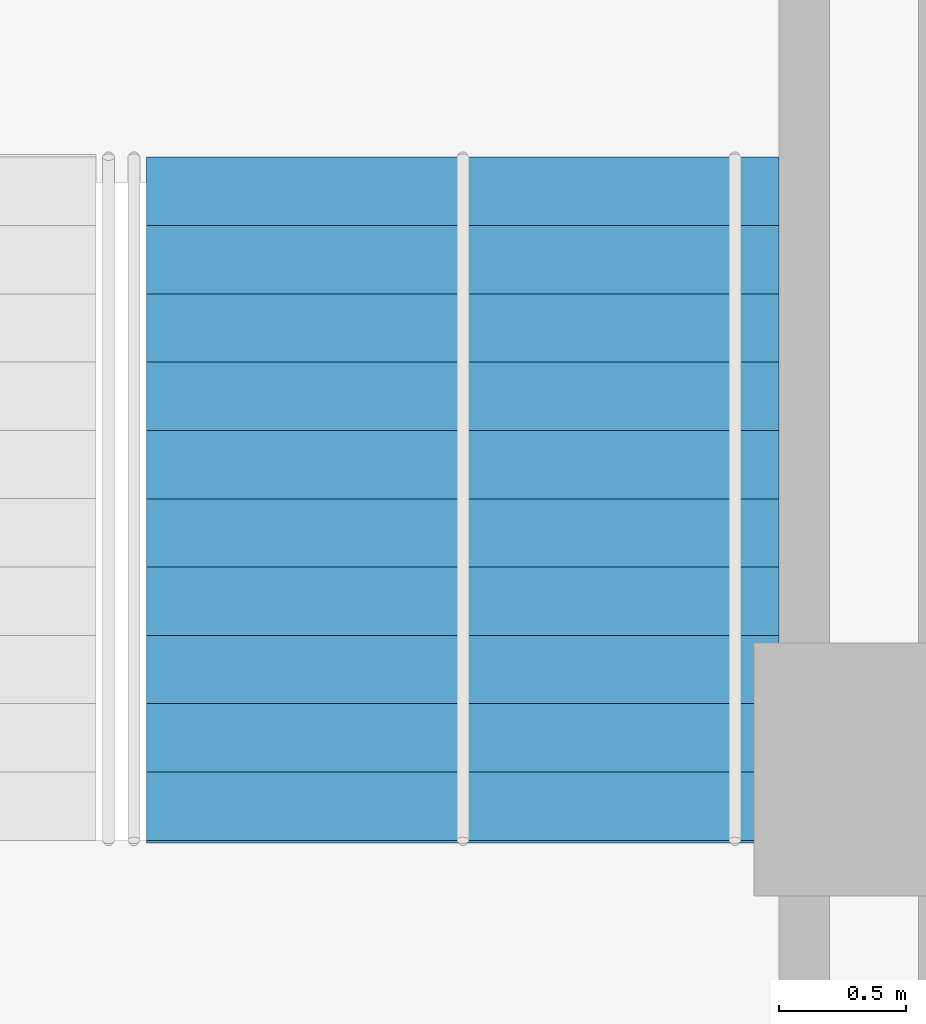
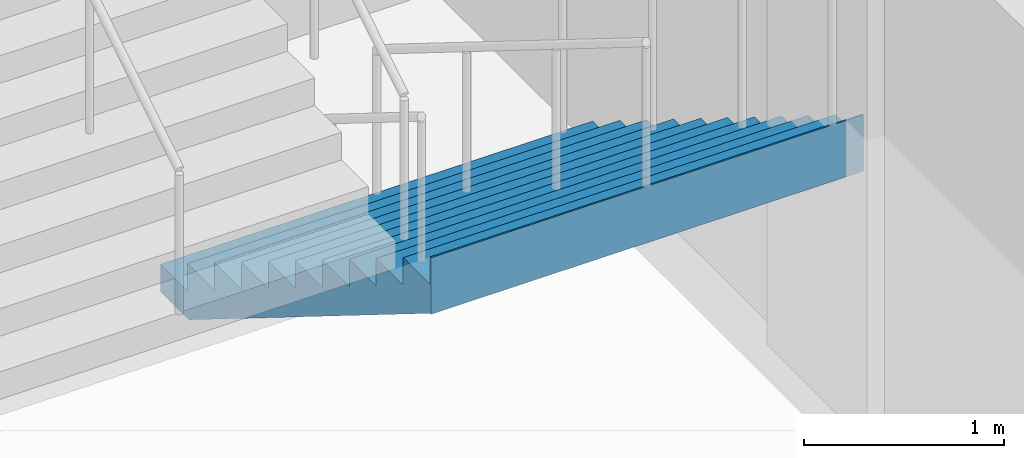
# One storey, part 8 of 9: 1 stair flight, 1 element without a shape of its own.
"""IFC4 building model written with IfcOpenShell, lengths in metres."""

from ifc_helpers import new_model, si_unit, direction, frame, origin, place, context, subcontext, project, spatial, faceted_brep, material, type_object, element, aggregate, save


model = new_model("IFC4")

# Units and contexts
model_context = context("Model", 3, precision=1e-05, world=origin(), true_north=direction((0.0, 1.0)))
body_context = subcontext(model_context, "Body", "Model", "MODEL_VIEW")
ifc_project = project(units=[si_unit("LENGTHUNIT", "METRE"), si_unit("AREAUNIT", "SQUARE_METRE"), si_unit("VOLUMEUNIT", "CUBIC_METRE"), si_unit("PLANEANGLEUNIT", "RADIAN"), si_unit("MASSUNIT", "GRAM", prefix="KILO")], contexts=[model_context])

# Site, building, storey
site_placement = place(None, origin())
site = spatial("IfcSite", under=ifc_project, at=site_placement, CompositionType="ELEMENT")
building_placement = place(site_placement, origin())
building = spatial("IfcBuilding", under=site, at=building_placement, Name="Torsade Residences", CompositionType="ELEMENT")
storey_placement = place(building_placement, frame((0.0, 0.0, -3.699951171875)))
storey = spatial("IfcBuildingStorey", under=building, at=storey_placement, Name="B1", CompositionType="ELEMENT", Elevation=-3.699951171875)

# Stair, stair flight
ifc_material_1 = material(Name="Concrete 40 MPa", Category="concrete")
stair_type = type_object("IfcStairType", Name="HALF-TURN PODIUM STAIR 2500x3700", PredefinedType="HALF_TURN_STAIR", material=ifc_material_1)
stair_placement = place(storey_placement, origin())
stair = element("IfcStair", 1, at=stair_placement, inside=storey, type_object=stair_type, Name="Stair ST4 B1", PredefinedType="HALF_TURN_STAIR")
ifc_material_2 = material(Name="Concrete 40 MPa", Category="concrete")
stair_flight_type = type_object("IfcStairFlightType", Name="PODIUM STAIR FLIGHT 2500x1850", PredefinedType="STRAIGHT", material=ifc_material_2)
stair_flight_placement = place(storey_placement, frame((75.75, 13.419921875, 0.0), z_axis=(0.0, 0.0, 1.0), x_axis=(0.0, -1.0, 0.0)))
stair_flight = element("IfcStairFlight", 2, at=stair_flight_placement, type_object=stair_flight_type, Name="ST4 flight 1", NumberOfRisers=11, NumberOfTreads=10, PredefinedType="STRAIGHT", RiserHeight=0.168181818, TreadLength=0.27, context=body_context, shape_type="Brep", body=[
    faceted_brep([(0.0, 1.25, 0.0), (0.0, 1.25, 0.168212890625), (0.27001953125, 1.25, 0.168212890625), (0.27001953125, 1.25, 0.33642578125), (0.5400390625, 1.25, 0.33642578125), (0.5400390625, 1.25, 0.504638671875), (0.81005859375, 1.25, 0.504638671875), (0.81005859375, 1.25, 0.672607421875), (1.080078125, 1.25, 0.672607421875), (1.080078125, 1.25, 0.8408203125), (1.35009765625, 1.25, 0.8408203125), (1.35009765625, 1.25, 1.009033203125), (1.6201171875, 1.25, 1.009033203125), (1.6201171875, 1.25, 1.17724609375), (1.889892578125, 1.25, 1.17724609375), (1.889892578125, 1.25, 1.345458984375), (2.159912109375, 1.25, 1.345458984375), (2.159912109375, 1.25, 1.513671875), (2.429931640625, 1.25, 1.513671875), (2.429931640625, 1.25, 1.681884765625), (2.699951171875, 1.25, 1.681884765625), (2.699951171875, 1.25, 1.85009765625), (2.7099609375, 1.25, 1.85009765625), (2.7099609375, 1.25, 1.505126953125), (2.699951171875, 1.25, 1.505126953125), (0.283447265625, 1.25, 0.0), (0.283447265625, -1.25, 0.0), (2.699951171875, -1.25, 1.505126953125), (2.7099609375, -1.25, 1.505126953125), (2.7099609375, -1.25, 1.85009765625), (2.699951171875, -1.25, 1.85009765625), (2.699951171875, -1.25, 1.681884765625), (2.429931640625, -1.25, 1.681884765625), (2.429931640625, -1.25, 1.513671875), (2.159912109375, -1.25, 1.513671875), (2.159912109375, -1.25, 1.345458984375), (1.889892578125, -1.25, 1.345458984375), (1.889892578125, -1.25, 1.17724609375), (1.6201171875, -1.25, 1.17724609375), (1.6201171875, -1.25, 1.009033203125), (1.35009765625, -1.25, 1.009033203125), (1.35009765625, -1.25, 0.8408203125), (1.080078125, -1.25, 0.8408203125), (1.080078125, -1.25, 0.672607421875), (0.81005859375, -1.25, 0.672607421875), (0.81005859375, -1.25, 0.504638671875), (0.5400390625, -1.25, 0.504638671875), (0.5400390625, -1.25, 0.33642578125), (0.27001953125, -1.25, 0.33642578125), (0.27001953125, -1.25, 0.168212890625), (0.0, -1.25, 0.168212890625), (0.0, -1.25, 0.0), (0.0, 0.75, 0.0), (0.0, 0.75, 0.168212890625), (0.0, 0.25, 0.0), (0.0, 0.25, 0.168212890625), (0.0, -0.25, 0.0), (0.0, -0.25, 0.168212890625), (0.0, -0.75, 0.0), (0.0, -0.75, 0.168212890625), (0.27001953125, 0.75, 0.168212890625), (0.27001953125, 0.25, 0.168212890625), (0.27001953125, -0.25, 0.168212890625), (0.27001953125, -0.75, 0.168212890625), (0.27001953125, 0.75, 0.33642578125), (0.27001953125, 0.25, 0.33642578125), (0.27001953125, -0.25, 0.33642578125), (0.27001953125, -0.75, 0.33642578125), (0.5400390625, 0.75, 0.33642578125), (0.5400390625, 0.25, 0.33642578125), (0.5400390625, -0.25, 0.33642578125), (0.5400390625, -0.75, 0.33642578125), (0.5400390625, 0.75, 0.504638671875), (0.5400390625, 0.25, 0.504638671875), (0.5400390625, -0.25, 0.504638671875), (0.5400390625, -0.75, 0.504638671875), (0.81005859375, 0.75, 0.504638671875), (0.81005859375, 0.25, 0.504638671875), (0.81005859375, -0.25, 0.504638671875), (0.81005859375, -0.75, 0.504638671875), (0.81005859375, 0.75, 0.672607421875), (0.81005859375, 0.25, 0.672607421875), (0.81005859375, -0.25, 0.672607421875), (0.81005859375, -0.75, 0.672607421875), (1.080078125, 0.75, 0.672607421875), (1.080078125, 0.25, 0.672607421875), (1.080078125, -0.25, 0.672607421875), (1.080078125, -0.75, 0.672607421875), (1.080078125, 0.75, 0.8408203125), (1.080078125, 0.25, 0.8408203125), (1.080078125, -0.25, 0.8408203125), (1.080078125, -0.75, 0.8408203125), (1.35009765625, 0.75, 0.8408203125), (1.35009765625, 0.25, 0.8408203125), (1.35009765625, -0.25, 0.8408203125), (1.35009765625, -0.75, 0.8408203125), (1.35009765625, 0.75, 1.009033203125), (1.35009765625, 0.25, 1.009033203125), (1.35009765625, -0.25, 1.009033203125), (1.35009765625, -0.75, 1.009033203125), (1.6201171875, 0.75, 1.009033203125), (1.6201171875, 0.25, 1.009033203125), (1.6201171875, -0.25, 1.009033203125), (1.6201171875, -0.75, 1.009033203125), (1.6201171875, 0.75, 1.17724609375), (1.6201171875, 0.25, 1.17724609375), (1.6201171875, -0.25, 1.17724609375), (1.6201171875, -0.75, 1.17724609375), (1.889892578125, 0.75, 1.17724609375), (1.889892578125, 0.25, 1.17724609375), (1.889892578125, -0.25, 1.17724609375), (1.889892578125, -0.75, 1.17724609375), (1.889892578125, 0.75, 1.345458984375), (1.889892578125, 0.25, 1.345458984375), (1.889892578125, -0.25, 1.345458984375), (1.889892578125, -0.75, 1.345458984375), (2.159912109375, 0.75, 1.345458984375), (2.159912109375, 0.25, 1.345458984375), (2.159912109375, -0.25, 1.345458984375), (2.159912109375, -0.75, 1.345458984375), (2.159912109375, 0.75, 1.513671875), (2.159912109375, 0.25, 1.513671875), (2.159912109375, -0.25, 1.513671875), (2.159912109375, -0.75, 1.513671875), (2.429931640625, 0.75, 1.513671875), (2.429931640625, 0.25, 1.513671875), (2.429931640625, -0.25, 1.513671875), (2.429931640625, -0.75, 1.513671875), (2.429931640625, 0.75, 1.681884765625), (2.429931640625, 0.25, 1.681884765625), (2.429931640625, -0.25, 1.681884765625), (2.429931640625, -0.75, 1.681884765625), (2.699951171875, 0.75, 1.681884765625), (2.699951171875, 0.25, 1.681884765625), (2.699951171875, -0.25, 1.681884765625), (2.699951171875, -0.75, 1.681884765625), (2.699951171875, 0.75, 1.85009765625), (2.699951171875, 0.25, 1.85009765625), (2.699951171875, -0.25, 1.85009765625), (2.699951171875, -0.75, 1.85009765625), (2.7099609375, 0.75, 1.85009765625), (2.7099609375, 0.25, 1.85009765625), (2.7099609375, -0.25, 1.85009765625), (2.7099609375, -0.75, 1.85009765625), (2.7099609375, 0.75, 1.505126953125), (2.7099609375, 0.25, 1.505126953125), (2.7099609375, -0.25, 1.505126953125), (2.7099609375, -0.75, 1.505126953125), (2.699951171875, 0.75, 1.505126953125), (2.699951171875, 0.25, 1.505126953125), (2.699951171875, -0.25, 1.505126953125), (2.699951171875, -0.75, 1.505126953125), (0.283447265625, 0.75, 0.0), (0.283447265625, 0.25, 0.0), (0.283447265625, -0.25, 0.0), (0.283447265625, -0.75, 0.0)], [[[0, 1, 2, 3, 4, 5, 6, 7, 8, 9, 10, 11, 12, 13, 14, 15, 16, 17, 18, 19, 20, 21, 22, 23, 24, 25]], [[26, 27, 28, 29, 30, 31, 32, 33, 34, 35, 36, 37, 38, 39, 40, 41, 42, 43, 44, 45, 46, 47, 48, 49, 50, 51]], [[52, 53, 1, 0]], [[54, 55, 53, 52]], [[56, 57, 55, 54]], [[58, 59, 57, 56]], [[51, 50, 59, 58]], [[53, 60, 2, 1]], [[55, 61, 60, 53]], [[57, 62, 61, 55]], [[59, 63, 62, 57]], [[50, 49, 63, 59]], [[60, 64, 3, 2]], [[61, 65, 64, 60]], [[62, 66, 65, 61]], [[63, 67, 66, 62]], [[49, 48, 67, 63]], [[64, 68, 4, 3]], [[65, 69, 68, 64]], [[66, 70, 69, 65]], [[67, 71, 70, 66]], [[48, 47, 71, 67]], [[68, 72, 5, 4]], [[69, 73, 72, 68]], [[70, 74, 73, 69]], [[71, 75, 74, 70]], [[47, 46, 75, 71]], [[72, 76, 6, 5]], [[73, 77, 76, 72]], [[74, 78, 77, 73]], [[75, 79, 78, 74]], [[46, 45, 79, 75]], [[76, 80, 7, 6]], [[77, 81, 80, 76]], [[78, 82, 81, 77]], [[79, 83, 82, 78]], [[45, 44, 83, 79]], [[80, 84, 8, 7]], [[81, 85, 84, 80]], [[82, 86, 85, 81]], [[83, 87, 86, 82]], [[44, 43, 87, 83]], [[84, 88, 9, 8]], [[85, 89, 88, 84]], [[86, 90, 89, 85]], [[87, 91, 90, 86]], [[43, 42, 91, 87]], [[88, 92, 10, 9]], [[89, 93, 92, 88]], [[90, 94, 93, 89]], [[91, 95, 94, 90]], [[42, 41, 95, 91]], [[92, 96, 11, 10]], [[93, 97, 96, 92]], [[94, 98, 97, 93]], [[95, 99, 98, 94]], [[41, 40, 99, 95]], [[96, 100, 12, 11]], [[97, 101, 100, 96]], [[98, 102, 101, 97]], [[99, 103, 102, 98]], [[40, 39, 103, 99]], [[100, 104, 13, 12]], [[101, 105, 104, 100]], [[102, 106, 105, 101]], [[103, 107, 106, 102]], [[39, 38, 107, 103]], [[104, 108, 14, 13]], [[105, 109, 108, 104]], [[106, 110, 109, 105]], [[107, 111, 110, 106]], [[38, 37, 111, 107]], [[108, 112, 15, 14]], [[109, 113, 112, 108]], [[110, 114, 113, 109]], [[111, 115, 114, 110]], [[37, 36, 115, 111]], [[112, 116, 16, 15]], [[113, 117, 116, 112]], [[114, 118, 117, 113]], [[115, 119, 118, 114]], [[36, 35, 119, 115]], [[116, 120, 17, 16]], [[117, 121, 120, 116]], [[118, 122, 121, 117]], [[119, 123, 122, 118]], [[35, 34, 123, 119]], [[120, 124, 18, 17]], [[121, 125, 124, 120]], [[122, 126, 125, 121]], [[123, 127, 126, 122]], [[34, 33, 127, 123]], [[124, 128, 19, 18]], [[125, 129, 128, 124]], [[126, 130, 129, 125]], [[127, 131, 130, 126]], [[33, 32, 131, 127]], [[128, 132, 20, 19]], [[129, 133, 132, 128]], [[130, 134, 133, 129]], [[131, 135, 134, 130]], [[32, 31, 135, 131]], [[132, 136, 21, 20]], [[133, 137, 136, 132]], [[134, 138, 137, 133]], [[135, 139, 138, 134]], [[31, 30, 139, 135]], [[136, 140, 22, 21]], [[137, 141, 140, 136]], [[138, 142, 141, 137]], [[139, 143, 142, 138]], [[30, 29, 143, 139]], [[140, 144, 23, 22]], [[141, 145, 144, 140]], [[142, 146, 145, 141]], [[143, 147, 146, 142]], [[29, 28, 147, 143]], [[144, 148, 24, 23]], [[145, 149, 148, 144]], [[146, 150, 149, 145]], [[147, 151, 150, 146]], [[28, 27, 151, 147]], [[148, 152, 25, 24]], [[149, 153, 152, 148]], [[150, 154, 153, 149]], [[151, 155, 154, 150]], [[27, 26, 155, 151]], [[152, 52, 0, 25]], [[153, 54, 52, 152]], [[154, 56, 54, 153]], [[155, 58, 56, 154]], [[26, 51, 58, 155]]]),
])
aggregate(stair, [stair_flight])

save(model, "model.ifc")
